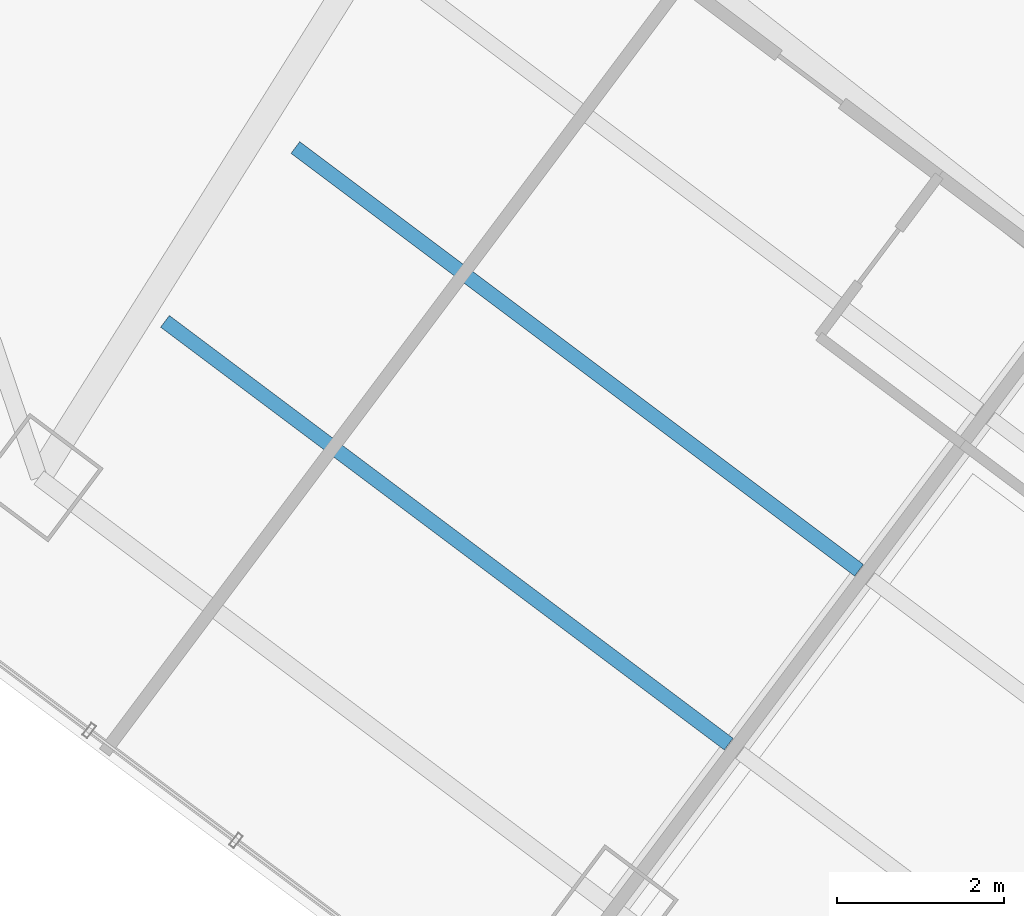
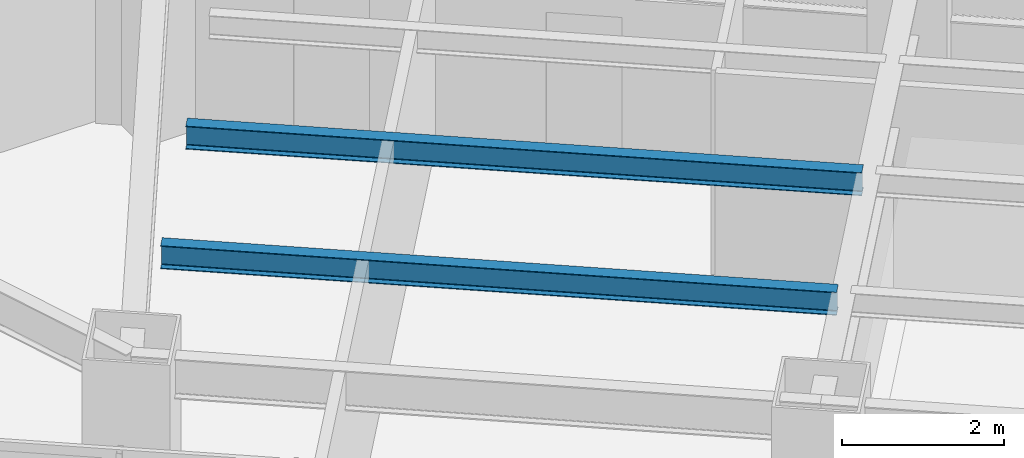
# One storey, part 12 of 39: 2 beams.
"""IFC4 building model written with IfcOpenShell, lengths in metres."""

from ifc_helpers import new_model, si_unit, direction, frame, origin, origin_2d, place, context, subcontext, project, spatial, i_section, extrude, material, material_profile, profile_set, type_object, element, save


model = new_model("IFC4")

# Units and contexts
model_context = context("Model", 3, precision=1e-05, world=origin(), true_north=direction((0.0, 1.0)))
body_context = subcontext(model_context, "Body", "Model", "MODEL_VIEW")
ifc_project = project(units=[si_unit("LENGTHUNIT", "METRE"), si_unit("AREAUNIT", "SQUARE_METRE"), si_unit("VOLUMEUNIT", "CUBIC_METRE"), si_unit("PLANEANGLEUNIT", "RADIAN"), si_unit("MASSUNIT", "GRAM", prefix="KILO")], contexts=[model_context])

# Site, building, storey
site_placement = place(None, origin())
site = spatial("IfcSite", under=ifc_project, at=site_placement, CompositionType="ELEMENT")
building_placement = place(site_placement, origin())
building = spatial("IfcBuilding", under=site, at=building_placement, Name="Hatsunagi Terrace Concourse", CompositionType="ELEMENT")
storey_placement = place(building_placement, frame((0.0, 0.0, 66.75)))
storey = spatial("IfcBuildingStorey", under=building, at=storey_placement, Name="L17", CompositionType="ELEMENT", Elevation=66.75)

# Beams
ifc_material = material(Name="Steel SN490B", Category="steel")
ifc_material_profile = material_profile(ifc_material, i_section(OverallWidth=0.175048828125, OverallDepth=0.35009765625, WebThickness=0.007080078125, FlangeThickness=0.010986328125, FilletRadius=0.012939453125, at=origin_2d()), Name="H-350x175x7x11")
ifc_profile_set = profile_set([ifc_material_profile], Name="Steel SN490B")
beam_type = type_object("IfcBeamType", Name="HotelJoist_H_350x175", PredefinedType="JOIST", material=ifc_profile_set)
for number, where, z_axis, x_axis, name in (
    (1, (40.18798828125, 17.908935546875, 2.955078125), (0.800003475366, -0.59999536615, 0.0), (0.59999536615, 0.800003475366, 0.0), "Beam J-02 J-L17-SE-2-46"),
    (2, (41.748046875, 19.989013671875, 2.955078125), (0.799989573921, -0.600013901187, 0.0), (0.600013901187, 0.799989573921, 0.0), "Beam J-02 J-L17-SE-2-72"),
):
    element("IfcBeam", number, at=place(storey_placement, frame(where, z_axis=z_axis, x_axis=x_axis)), inside=storey, type_object=beam_type, Name=name, PredefinedType="JOIST", context=body_context, shape_type="SweptSolid", body=[
        extrude(i_section(OverallWidth=0.175048828125, OverallDepth=0.35009765625, WebThickness=0.007080078125, FlangeThickness=0.010986328125, FilletRadius=0.012939453125, at=origin_2d()), origin(), (0.0, 0.0, 1.0), 8.429931640625),
    ])

save(model, "model.ifc")
